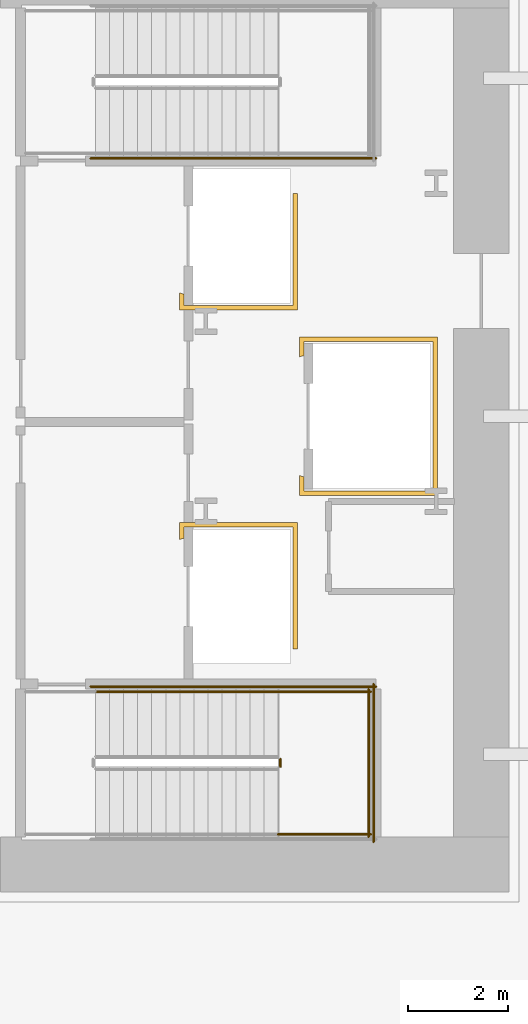
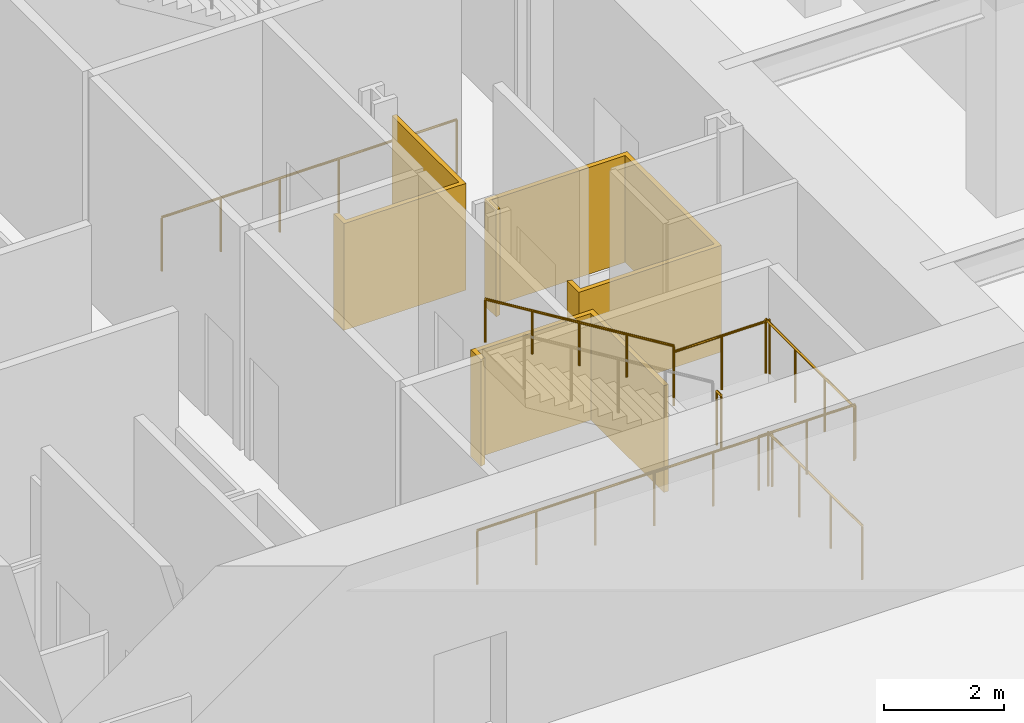
# One storey, part 14 of 19: 8 railings, 3 coverings.
"""IFC4 building model written with IfcOpenShell, lengths in metres."""

import ifcopenshell
import ifcopenshell.guid

model = None  # the IFC model being written
_history = None  # IfcOwnerHistory: only IFC2X3 demands one
_inside = {}  # id of a spatial element -> (the spatial element, [elements in it])
_under = {}  # id of a project, library or spatial element -> (it, [spatial elements below it])
_declared = {}  # id of a project -> (the project, [libraries it declares])
_typed = {}  # id of a type object -> (the type object, [elements of that type])
_made_of = {}  # id of a material, layer set ... -> (it, [elements and type objects made of it])


def new_model(schema):
    """Start an empty IFC model of exactly this schema.

    Asked for "IFC4X3", IfcOpenShell would pick the latest addendum, in which some entities
    have other attributes; the version numbers below select the first issue.
    IFC2X3 requires an IfcOwnerHistory on every rooted entity: one is made here for all.
    """
    global model, _history
    if schema == "IFC4X3":
        model = ifcopenshell.file(schema_version=(4, 3, 0, 0))
    else:
        model = ifcopenshell.file(schema=schema)
    _inside.clear()
    _under.clear()
    _declared.clear()
    _typed.clear()
    _made_of.clear()
    _history = None
    if model.schema == "IFC2X3":
        org = make("IfcOrganization", Name="unknown")
        user = make(
            "IfcPersonAndOrganization",
            ThePerson=make("IfcPerson", FamilyName="unknown"),
            TheOrganization=org,
        )
        app = make(
            "IfcApplication",
            ApplicationDeveloper=org,
            Version="unknown",
            ApplicationFullName="unknown",
            ApplicationIdentifier="unknown",
        )
        _history = make(
            "IfcOwnerHistory",
            OwningUser=user,
            OwningApplication=app,
            ChangeAction="ADDED",
            CreationDate=0,
        )
    return model


def make(cls, **values):
    """One entity of the class cls with the attributes given. An attribute that is None is left unset."""
    return model.create_entity(
        cls, **{name: value for name, value in values.items() if value is not None}
    )


def rooted(cls, **values):
    """An entity with a GlobalId (a new one), such as an element, a storey or a relation."""
    return make(cls, GlobalId=ifcopenshell.guid.new(), OwnerHistory=_history, **values)


def si_unit(unit_type, name, prefix=None):
    """IfcSIUnit, for example si_unit("LENGTHUNIT", "METRE", prefix="MILLI")."""
    return make("IfcSIUnit", UnitType=unit_type, Prefix=prefix, Name=name)


def assignment(units):
    """IfcUnitAssignment: the units of a project."""
    return None if units is None else make("IfcUnitAssignment", Units=units)


def point(xyz):
    """IfcCartesianPoint."""
    return None if xyz is None else make("IfcCartesianPoint", Coordinates=xyz)


def direction(xyz):
    """IfcDirection."""
    return None if xyz is None else make("IfcDirection", DirectionRatios=xyz)


def frame(location, z_axis=None, x_axis=None):
    """IfcAxis2Placement3D, a coordinate frame: its origin and axes. An axis left out is left unset."""
    return make(
        "IfcAxis2Placement3D",
        Location=point(location),
        Axis=direction(z_axis),
        RefDirection=direction(x_axis),
    )


def frame_2d(location, x_axis=None):
    """IfcAxis2Placement2D, a coordinate frame in the plane: its origin and x axis."""
    return make(
        "IfcAxis2Placement2D", Location=point(location), RefDirection=direction(x_axis)
    )


def origin():
    """The frame at (0, 0, 0) with its axes left unset."""
    return frame((0.0, 0.0, 0.0))


def origin_2d():
    """The frame at (0, 0) in the plane with its x axis left unset."""
    return frame_2d((0.0, 0.0))


def place(relative_to, where):
    """IfcLocalPlacement: puts the frame where relative to a parent placement (None: the world)."""
    return make(
        "IfcLocalPlacement", PlacementRelTo=relative_to, RelativePlacement=where
    )


def context(
    kind, dimensions, precision=None, world=None, true_north=None, identifier=None
):
    """IfcGeometricRepresentationContext, for example the 3D "Model" context."""
    return make(
        "IfcGeometricRepresentationContext",
        ContextIdentifier=identifier,
        ContextType=kind,
        CoordinateSpaceDimension=dimensions,
        Precision=precision,
        WorldCoordinateSystem=world,
        TrueNorth=true_north,
    )


def subcontext(parent, identifier, kind, view, scale=None):
    """IfcGeometricRepresentationSubContext, for example "Body" below "Model"."""
    return make(
        "IfcGeometricRepresentationSubContext",
        ContextIdentifier=identifier,
        ContextType=kind,
        ParentContext=parent,
        TargetScale=scale,
        TargetView=view,
    )


def project(units=None, contexts=None):
    """IfcProject with its units and contexts."""
    return rooted(
        "IfcProject",
        Name="project",
        RepresentationContexts=contexts,
        UnitsInContext=assignment(units),
    )


def spatial(cls, under=None, at=None, **own):
    """A site, building, storey or space (cls), placed at a placement, below another one or the project."""
    s = rooted(cls, ObjectPlacement=at, **own)
    if under is not None:
        _under.setdefault(under.id(), (under, []))[1].append(s)
    return s


def polyline(points):
    """IfcPolyline through the points."""
    return make("IfcPolyline", Points=[point(p) for p in points])


def profile(cls, at=None, kind="AREA", **sizes):
    """A parametric profile (cls). Its sizes go by their IFC names, for example OverallWidth=200.0."""
    return make(cls, ProfileType=kind, Position=at, **sizes)


def circle(**sizes):
    """IfcCircleProfileDef."""
    return profile("IfcCircleProfileDef", **sizes)


def outline(outer, holes=None, kind="AREA"):
    """IfcArbitraryClosedProfileDef: a profile drawn as a closed curve; with holes, ...WithVoids."""
    if holes is None:
        return make("IfcArbitraryClosedProfileDef", ProfileType=kind, OuterCurve=outer)
    return make(
        "IfcArbitraryProfileDefWithVoids",
        ProfileType=kind,
        OuterCurve=outer,
        InnerCurves=holes,
    )


def extrude(swept, where, along, depth):
    """IfcExtrudedAreaSolid: the profile swept, set in the frame where, extruded along a direction by depth."""
    return make(
        "IfcExtrudedAreaSolid",
        SweptArea=swept,
        Position=where,
        ExtrudedDirection=direction(along),
        Depth=depth,
    )


def shape(context_of_items, identifier, shape_type, items):
    """IfcShapeRepresentation: the items that make up one representation, for example the "Body"."""
    return make(
        "IfcShapeRepresentation",
        ContextOfItems=context_of_items,
        RepresentationIdentifier=identifier,
        RepresentationType=shape_type,
        Items=items,
    )


def material(Name=None, Category=None):
    """IfcMaterial."""
    return make("IfcMaterial", Name=Name, Category=Category)


def layer(
    of_material, thickness, ventilated=None, Name=None, Category=None, Priority=None
):
    """IfcMaterialLayer: one layer of a wall or slab, of a material (None: an air gap)."""
    return make(
        "IfcMaterialLayer",
        Material=of_material,
        LayerThickness=thickness,
        IsVentilated=ventilated,
        Name=Name,
        Category=Category,
        Priority=Priority,
    )


def layer_set(layers, Name=None):
    """IfcMaterialLayerSet."""
    return make("IfcMaterialLayerSet", MaterialLayers=layers, LayerSetName=Name)


def made_of(thing, what):
    """Note that an element or type object is made of a material, layer set ...; save() writes the relation."""
    if what is not None:
        _made_of.setdefault(what.id(), (what, []))[1].append(thing)
    return thing


def type_object(cls, material=None, **own):
    """A type object (cls), such as IfcWallType, which elements share."""
    return made_of(rooted(cls, **own), material)


def element(
    cls,
    number,
    at=None,
    inside=None,
    cuts=None,
    type_object=None,
    material=None,
    context=None,
    identifier="Body",
    shape_type=None,
    held_by="IfcProductDefinitionShape",
    body=None,
    shapes=None,
    **own,
):
    """One element of the class cls, such as IfcWall. Its Tag is "e" and its number.

    at: its placement. inside: the storey or other place that contains it. cuts: it is an
    opening in that element (IfcRelVoidsElement). A single representation is given by context,
    identifier, shape_type and body (its items); several are given by shapes. held_by: the class
    of the entity that holds the representations. save() writes the other relations.
    """
    e = rooted(cls, Tag="e%d" % number, ObjectPlacement=at, **own)
    if body is not None:
        shapes = [shape(context, identifier, shape_type, body)]
    if shapes is not None:
        e.Representation = make(held_by, Representations=shapes)
    if inside is not None:
        _inside.setdefault(inside.id(), (inside, []))[1].append(e)
    if cuts is not None:
        rooted(
            "IfcRelVoidsElement", RelatingBuildingElement=cuts, RelatedOpeningElement=e
        )
    if type_object is not None:
        _typed.setdefault(type_object.id(), (type_object, []))[1].append(e)
    return made_of(e, material)


def aggregate(whole, parts):
    """IfcRelAggregates: a whole, such as a stair, and the parts it consists of."""
    return rooted("IfcRelAggregates", RelatingObject=whole, RelatedObjects=parts)


def save(model, path):
    """Write the relations noted so far, then the file.

    IfcRelAggregates (storeys below a building ...), IfcRelContainedInSpatialStructure (elements
    in a storey), IfcRelDefinesByType, IfcRelAssociatesMaterial and IfcRelDeclares: one each for
    every whole, place, type object, material and project.
    """
    for whole, parts in _under.values():
        aggregate(whole, parts)
    for where, things in _inside.values():
        rooted(
            "IfcRelContainedInSpatialStructure",
            RelatedElements=things,
            RelatingStructure=where,
        )
    for kind, things in _typed.values():
        rooted("IfcRelDefinesByType", RelatedObjects=things, RelatingType=kind)
    for what, things in _made_of.values():
        rooted("IfcRelAssociatesMaterial", RelatedObjects=things, RelatingMaterial=what)
    for by, libraries in _declared.values():
        rooted("IfcRelDeclares", RelatingContext=by, RelatedDefinitions=libraries)
    model.write(path)


model = new_model("IFC4")

# Units and contexts
model_context = context("Model", 3, precision=1e-05, world=origin(), true_north=direction((0.0, 1.0)))
body_context = subcontext(model_context, "Body", "Model", "MODEL_VIEW")
ifc_project = project(units=[si_unit("LENGTHUNIT", "METRE"), si_unit("AREAUNIT", "SQUARE_METRE"), si_unit("VOLUMEUNIT", "CUBIC_METRE"), si_unit("PLANEANGLEUNIT", "RADIAN"), si_unit("MASSUNIT", "GRAM", prefix="KILO")], contexts=[model_context])

# Site, building, storey
site_placement = place(None, origin())
site = spatial("IfcSite", under=ifc_project, at=site_placement, CompositionType="ELEMENT")
building_placement = place(site_placement, origin())
building = spatial("IfcBuilding", under=site, at=building_placement, Name="Valkerne Bourse Tower", CompositionType="ELEMENT")
storey_placement = place(building_placement, frame((0.0, 0.0, 5.39990234375)))
storey = spatial("IfcBuildingStorey", under=building, at=storey_placement, Name="L01", CompositionType="ELEMENT", Elevation=5.39990234375)

# Coverings
ifc_material_1 = material(Name="Gypsum Shaftwall Liner Board", Category="gypsum")
ifc_layer = layer(ifc_material_1, 0.080078125)
ifc_layer_set = layer_set([ifc_layer], Name="Gypsum Shaftwall Liner Board")
covering_type = type_object("IfcCoveringType", Name="COV-SHF-CLAD", PredefinedType="CLADDING", material=ifc_layer_set)
covering_1_placement = place(storey_placement, origin())
element("IfcCovering", 1, at=covering_1_placement, inside=storey, type_object=covering_type, Name="L01 Hoistway & Riser Shaftwall Liner 07", PredefinedType="CLADDING", context=body_context, shape_type="SweptSolid", body=[
    extrude(outline(polyline([(52.179931640625, 22.35009765625), (52.090087890625, 22.35009765625), (52.090087890625, 24.7900390625), (49.909912109375, 24.7900390625), (49.909912109375, 24.560791015625), (49.869384765625, 24.550537109375), (49.827880859375, 24.53564453125), (49.820068359375, 24.531982421875), (49.820068359375, 24.8798828125), (52.179931640625, 24.8798828125), (52.179931640625, 22.35009765625)])), origin(), (0.0, 0.0, 1.0), 2.18017578125),
])
covering_2_placement = place(storey_placement, origin())
element("IfcCovering", 2, at=covering_2_placement, inside=storey, type_object=covering_type, Name="L01 Hoistway & Riser Shaftwall Liner 08", PredefinedType="CLADDING", context=body_context, shape_type="SweptSolid", body=[
    extrude(outline(polyline([(54.97998046875, 25.419921875), (52.219970703125, 25.419921875), (52.219970703125, 25.81787109375), (52.227783203125, 25.814208984375), (52.269287109375, 25.79931640625), (52.31005859375, 25.789306640625), (52.31005859375, 25.510009765625), (54.889892578125, 25.510009765625), (54.889892578125, 28.489990234375), (52.31005859375, 28.489990234375), (52.31005859375, 28.210693359375), (52.269287109375, 28.20068359375), (52.227783203125, 28.185791015625), (52.219970703125, 28.18212890625), (52.219970703125, 28.580078125), (54.97998046875, 28.580078125), (54.97998046875, 25.419921875)])), origin(), (0.0, 0.0, 1.0), 2.18017578125),
])
covering_3_placement = place(storey_placement, origin())
element("IfcCovering", 3, at=covering_3_placement, inside=storey, type_object=covering_type, Name="L01 Hoistway & Riser Shaftwall Liner 10", PredefinedType="CLADDING", context=body_context, shape_type="SweptSolid", body=[
    extrude(outline(polyline([(49.820068359375, 29.1201171875), (49.820068359375, 29.468017578125), (49.827880859375, 29.46435546875), (49.869384765625, 29.449462890625), (49.909912109375, 29.439208984375), (49.909912109375, 29.2099609375), (52.090087890625, 29.2099609375), (52.090087890625, 31.449951171875), (52.179931640625, 31.449951171875), (52.179931640625, 29.1201171875), (49.820068359375, 29.1201171875)])), origin(), (0.0, 0.0, 1.0), 2.18017578125),
])

# Railings
ifc_material_2 = material(Name="Galvanised Painted Steel", Category="steel")
railing_type_1 = type_object("IfcRailingType", Name="RLG-ST-GUARD-1120", PredefinedType="GUARDRAIL", material=ifc_material_2)
railing_1_placement = place(storey_placement, frame((51.840087890625, 20.0, 2.400146484375)))
element("IfcRailing", 4, at=railing_1_placement, inside=storey, type_object=railing_type_1, Name="L01 ST-1 stair guard 2", PredefinedType="GUARDRAIL", context=body_context, shape_type="SweptSolid", body=[
    extrude(circle(Radius=0.02392578125, at=origin_2d()), frame((0.0, 0.0, 1.09619140625), z_axis=(0.0, 1.0, 0.0), x_axis=(-1.0, 0.0, 0.0)), (0.0, 0.0, 1.0), 0.14990234375),
    extrude(circle(Radius=0.02099609375, at=origin_2d()), origin(), (0.0, 0.0, 1.0), 1.072021484375),
    extrude(circle(Radius=0.02099609375, at=origin_2d()), frame((0.0, 0.14990234375, 0.0)), (0.0, 0.0, 1.0), 1.072021484375),
])
for number, where, name in (
    (5, (51.7900390625, 18.64990234375, 2.400146484375), "L01 ST-1 stair guard 3"),
    (6, (51.7900390625, 21.5, 2.400146484375), "L01 ST-1 stair guard 4"),
):
    element("IfcRailing", number, at=place(storey_placement, frame(where)), inside=storey, type_object=railing_type_1, Name=name, PredefinedType="GUARDRAIL", context=body_context, shape_type="SweptSolid", body=[
        extrude(circle(Radius=0.02392578125, at=origin_2d()), frame((0.0, 0.0, 1.09619140625), z_axis=(1.0, 0.0, 0.0), x_axis=(0.0, 1.0, 0.0)), (0.0, 0.0, 1.0), 1.85986328125),
        extrude(circle(Radius=0.02099609375, at=origin_2d()), origin(), (0.0, 0.0, 1.0), 1.072021484375),
        extrude(circle(Radius=0.02099609375, at=origin_2d()), frame((0.929931640625, 0.0, 0.0)), (0.0, 0.0, 1.0), 1.072021484375),
        extrude(circle(Radius=0.02099609375, at=origin_2d()), frame((1.85986328125, 0.0, 0.0)), (0.0, 0.0, 1.0), 1.072021484375),
    ])
railing_2_placement = place(storey_placement, frame((53.60009765625, 18.60009765625, 2.400146484375)))
element("IfcRailing", 7, at=railing_2_placement, inside=storey, type_object=railing_type_1, Name="L01 ST-1 stair guard 5", PredefinedType="GUARDRAIL", context=body_context, shape_type="SweptSolid", body=[
    extrude(circle(Radius=0.02392578125, at=origin_2d()), frame((0.0, 0.0, 1.09619140625), z_axis=(0.0, 1.0, 0.0), x_axis=(-1.0, 0.0, 0.0)), (0.0, 0.0, 1.0), 2.949951171875),
    extrude(circle(Radius=0.02099609375, at=origin_2d()), origin(), (0.0, 0.0, 1.0), 1.072021484375),
    extrude(circle(Radius=0.02099609375, at=origin_2d()), frame((0.0, 0.9833984375, 0.0)), (0.0, 0.0, 1.0), 1.072021484375),
    extrude(circle(Radius=0.02099609375, at=origin_2d()), frame((0.0, 1.966552734375, 0.0)), (0.0, 0.0, 1.0), 1.072021484375),
    extrude(circle(Radius=0.02099609375, at=origin_2d()), frame((0.0, 2.949951171875, 0.0)), (0.0, 0.0, 1.0), 1.072021484375),
])
railing_3_placement = place(storey_placement, frame((48.050048828125, 21.60009765625, 0.0)))
element("IfcRailing", 8, at=railing_3_placement, inside=storey, type_object=railing_type_1, Name="L01 ST-1 stair guard 11", PredefinedType="GUARDRAIL", context=body_context, shape_type="SweptSolid", body=[
    extrude(circle(Radius=0.02392578125, at=origin_2d()), frame((0.0, 0.0, 1.09619140625), z_axis=(1.0, 0.0, 0.0), x_axis=(0.0, 1.0, 0.0)), (0.0, 0.0, 1.0), 5.699951171875),
    extrude(circle(Radius=0.02099609375, at=origin_2d()), origin(), (0.0, 0.0, 1.0), 1.072021484375),
    extrude(circle(Radius=0.02099609375, at=origin_2d()), frame((1.139892578125, 0.0, 0.0)), (0.0, 0.0, 1.0), 1.072021484375),
    extrude(circle(Radius=0.02099609375, at=origin_2d()), frame((2.280029296875, 0.0, 0.0)), (0.0, 0.0, 1.0), 1.072021484375),
    extrude(circle(Radius=0.02099609375, at=origin_2d()), frame((3.419921875, 0.0, 0.0)), (0.0, 0.0, 1.0), 1.072021484375),
    extrude(circle(Radius=0.02099609375, at=origin_2d()), frame((4.56005859375, 0.0, 0.0)), (0.0, 0.0, 1.0), 1.072021484375),
    extrude(circle(Radius=0.02099609375, at=origin_2d()), frame((5.699951171875, 0.0, 0.0)), (0.0, 0.0, 1.0), 1.072021484375),
])
railing_4_placement = place(storey_placement, frame((53.699951171875, 18.5, 0.0)))
element("IfcRailing", 9, at=railing_4_placement, inside=storey, type_object=railing_type_1, Name="L01 ST-1 stair guard 12", PredefinedType="GUARDRAIL", context=body_context, shape_type="SweptSolid", body=[
    extrude(circle(Radius=0.02392578125, at=origin_2d()), frame((0.0, 0.0, 1.09619140625), z_axis=(0.0, 1.0, 0.0), x_axis=(-1.0, 0.0, 0.0)), (0.0, 0.0, 1.0), 3.14990234375),
    extrude(circle(Radius=0.02099609375, at=origin_2d()), origin(), (0.0, 0.0, 1.0), 1.072021484375),
    extrude(circle(Radius=0.02099609375, at=origin_2d()), frame((0.0, 1.050048828125, 0.0)), (0.0, 0.0, 1.0), 1.072021484375),
    extrude(circle(Radius=0.02099609375, at=origin_2d()), frame((0.0, 2.099853515625, 0.0)), (0.0, 0.0, 1.0), 1.072021484375),
    extrude(circle(Radius=0.02099609375, at=origin_2d()), frame((0.0, 3.14990234375, 0.0)), (0.0, 0.0, 1.0), 1.072021484375),
])
railing_5_placement = place(storey_placement, frame((48.050048828125, 32.14990234375, 0.0)))
element("IfcRailing", 10, at=railing_5_placement, inside=storey, type_object=railing_type_1, Name="L01 ST-2 stair guard 10", PredefinedType="GUARDRAIL", context=body_context, shape_type="SweptSolid", body=[
    extrude(circle(Radius=0.02392578125, at=origin_2d()), frame((0.0, 0.0, 1.09619140625), z_axis=(1.0, 0.0, 0.0), x_axis=(0.0, 1.0, 0.0)), (0.0, 0.0, 1.0), 5.699951171875),
    extrude(circle(Radius=0.02099609375, at=origin_2d()), origin(), (0.0, 0.0, 1.0), 1.072021484375),
    extrude(circle(Radius=0.02099609375, at=origin_2d()), frame((1.139892578125, 0.0, 0.0)), (0.0, 0.0, 1.0), 1.072021484375),
    extrude(circle(Radius=0.02099609375, at=origin_2d()), frame((2.280029296875, 0.0, 0.0)), (0.0, 0.0, 1.0), 1.072021484375),
    extrude(circle(Radius=0.02099609375, at=origin_2d()), frame((3.419921875, 0.0, 0.0)), (0.0, 0.0, 1.0), 1.072021484375),
    extrude(circle(Radius=0.02099609375, at=origin_2d()), frame((4.56005859375, 0.0, 0.0)), (0.0, 0.0, 1.0), 1.072021484375),
    extrude(circle(Radius=0.02099609375, at=origin_2d()), frame((5.699951171875, 0.0, 0.0)), (0.0, 0.0, 1.0), 1.072021484375),
])
ifc_material_3 = material(Name="Stainless Steel AISI 316", Category="steel")
railing_type_2 = type_object("IfcRailingType", Name="RLG-ST-HANDRAIL-900", PredefinedType="HANDRAIL", material=ifc_material_3)
railing_6_placement = place(storey_placement, frame((51.7900390625, 21.5, 2.742919921875)))
element("IfcRailing", 11, at=railing_6_placement, inside=storey, type_object=railing_type_2, Name="L01 ST-1 stair handrail 2", PredefinedType="HANDRAIL", context=body_context, shape_type="SweptSolid", body=[
    extrude(circle(Radius=0.02392578125, at=origin_2d()), frame((0.0, 0.0, 0.8759765625), z_axis=(-0.852865859571, 0.0, 0.52213008492), x_axis=(0.0, -1.0, 0.0)), (0.0, 0.0, 1.0), 4.26806640625),
    extrude(circle(Radius=0.02099609375, at=origin_2d()), origin(), (0.0, 0.0, 1.0), 0.851806640625),
    extrude(circle(Radius=0.02099609375, at=origin_2d()), frame((-0.91015625, 0.0, 0.55712890625)), (0.0, 0.0, 1.0), 0.851806640625),
    extrude(circle(Radius=0.02099609375, at=origin_2d()), frame((-1.820068359375, 0.0, 1.1142578125)), (0.0, 0.0, 1.0), 0.851806640625),
    extrude(circle(Radius=0.02099609375, at=origin_2d()), frame((-2.72998046875, 0.0, 1.67138671875)), (0.0, 0.0, 1.0), 0.851806640625),
    extrude(circle(Radius=0.02099609375, at=origin_2d()), frame((-3.64013671875, 0.0, 2.228515625)), (0.0, 0.0, 1.0), 0.851806640625),
])

save(model, "model.ifc")
